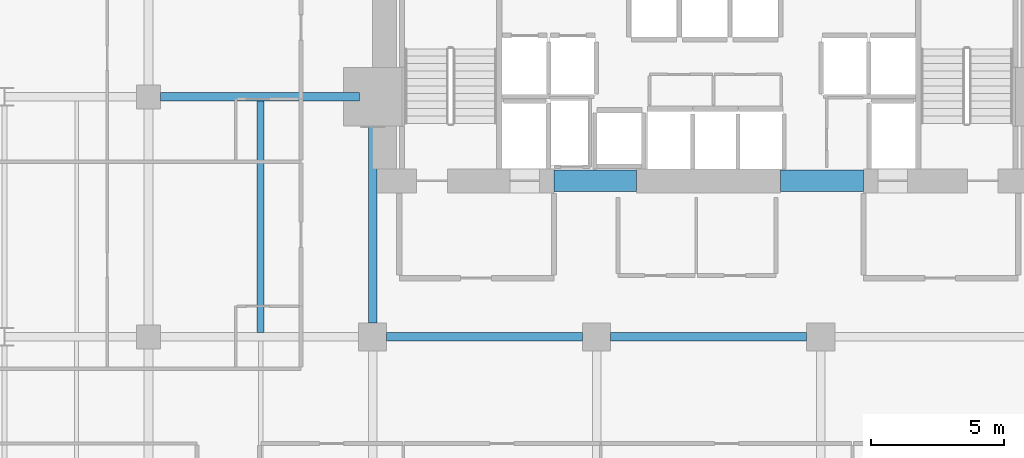
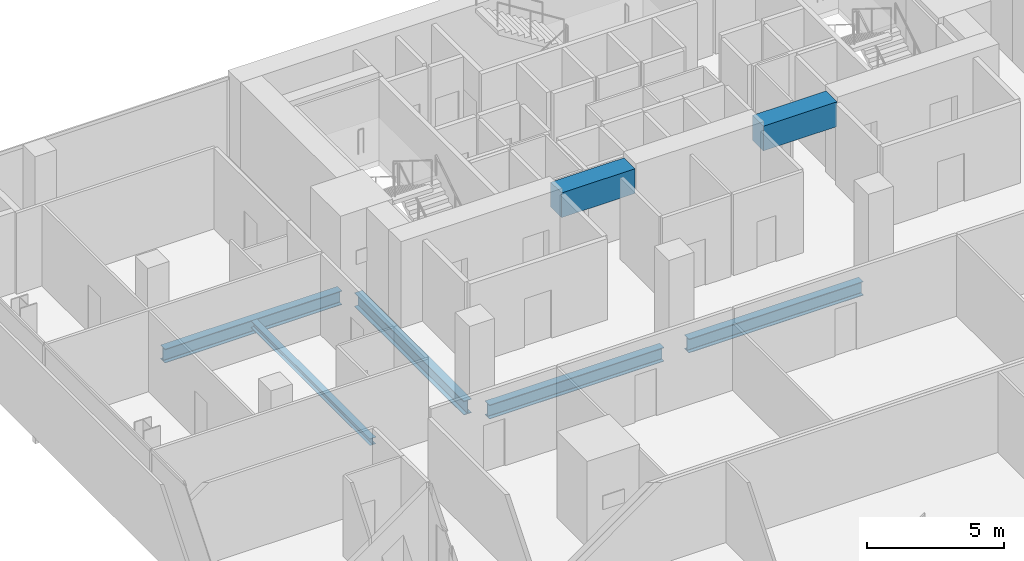
# One storey, part 24 of 41: 7 beams.
"""IFC4 building model written with IfcOpenShell, lengths in metres."""

from ifc_helpers import new_model, si_unit, direction, frame, origin, origin_2d, place, context, subcontext, project, spatial, rectangle, i_section, extrude, material, material_profile, profile_set, type_object, element, save


model = new_model("IFC4")

# Units and contexts
model_context = context("Model", 3, precision=1e-05, world=origin(), true_north=direction((0.0, 1.0)))
body_context = subcontext(model_context, "Body", "Model", "MODEL_VIEW")
ifc_project = project(units=[si_unit("LENGTHUNIT", "METRE"), si_unit("AREAUNIT", "SQUARE_METRE"), si_unit("VOLUMEUNIT", "CUBIC_METRE"), si_unit("PLANEANGLEUNIT", "RADIAN"), si_unit("MASSUNIT", "GRAM", prefix="KILO")], contexts=[model_context])

# Site, building, storey
site_placement = place(None, origin())
site = spatial("IfcSite", under=ifc_project, at=site_placement, CompositionType="ELEMENT")
building_placement = place(site_placement, origin())
building = spatial("IfcBuilding", under=site, at=building_placement, Name="Maruvema Waterfront Hotel and Observation Tower", CompositionType="ELEMENT")
storey_placement = place(building_placement, frame((0.0, 0.0, 61.60009765625)))
storey = spatial("IfcBuildingStorey", under=building, at=storey_placement, Name="L14", CompositionType="ELEMENT", Elevation=61.60009765625)

# Beams
ifc_material_1 = material(Name="Concrete C60/75", Category="concrete")
ifc_material_profile_1 = material_profile(ifc_material_1, rectangle(XDim=0.800048828125, YDim=1.10009765625, at=origin_2d()), Name="CB800x1100")
ifc_profile_set_1 = profile_set([ifc_material_profile_1], Name="Concrete C60/75")
beam_type_1 = type_object("IfcBeamType", Name="Core Coupling Lintel Beam CB800x1100", PredefinedType="LINTEL", material=ifc_profile_set_1)
for number, where, z_axis, x_axis, name in (
    (1, (32.0, 41.85009765625, 3.059814453125), (1.0, 0.0, 0.0), (0.0, 1.0, 0.0), "L14 Core Coupling Lintel Beam West"),
    (2, (40.5, 41.85009765625, 3.059814453125), (1.0, 0.0, 0.0), (0.0, 1.0, 0.0), "L14 Core Coupling Lintel Beam East"),
):
    element("IfcBeam", number, at=place(storey_placement, frame(where, z_axis=z_axis, x_axis=x_axis)), inside=storey, type_object=beam_type_1, Name=name, PredefinedType="LINTEL", context=body_context, shape_type="SweptSolid", body=[
        extrude(rectangle(XDim=0.800048828125, YDim=1.10009765625, at=origin_2d()), origin(), (0.0, 0.0, 1.0), 3.10009765625),
    ])
ifc_material_2 = material(Name="Steel ASTM A572 Grade 50", Category="steel")
ifc_material_profile_2 = material_profile(ifc_material_2, i_section(OverallWidth=0.326904296875, OverallDepth=0.6220703125, WebThickness=0.015380859375, FlangeThickness=0.0244140625, FilletRadius=0.01806640625, at=origin_2d()), Name="W610x195.0")
ifc_profile_set_2 = profile_set([ifc_material_profile_2], Name="Steel ASTM A572 Grade 50")
beam_type_2 = type_object("IfcBeamType", Name="Primary Floor Girder W610x195.0", PredefinedType="BEAM", material=ifc_profile_set_2)
beam_1_placement = place(storey_placement, frame((25.72509765625, 36.0, -0.551025390625), z_axis=(1.0, 0.0, 0.0), x_axis=(0.0, 1.0, 0.0)))
element("IfcBeam", 3, at=beam_1_placement, inside=storey, type_object=beam_type_2, Name="L14 Floor Girder EW-27", PredefinedType="BEAM", context=body_context, shape_type="SweptSolid", body=[
    extrude(i_section(OverallWidth=0.326904296875, OverallDepth=0.6220703125, WebThickness=0.015380859375, FlangeThickness=0.0244140625, FilletRadius=0.01806640625, at=origin_2d()), origin(), (0.0, 0.0, 1.0), 7.349853515625),
])
beam_2_placement = place(storey_placement, frame((34.125, 36.0, -0.551025390625), z_axis=(1.0, 0.0, 0.0), x_axis=(0.0, 1.0, 0.0)))
element("IfcBeam", 4, at=beam_2_placement, inside=storey, type_object=beam_type_2, Name="L14 Floor Girder EW-28", PredefinedType="BEAM", context=body_context, shape_type="SweptSolid", body=[
    extrude(i_section(OverallWidth=0.326904296875, OverallDepth=0.6220703125, WebThickness=0.015380859375, FlangeThickness=0.0244140625, FilletRadius=0.01806640625, at=origin_2d()), origin(), (0.0, 0.0, 1.0), 7.35009765625),
])
beam_3_placement = place(storey_placement, frame((17.25, 45.0, -0.551025390625), z_axis=(1.0, 0.0, 0.0), x_axis=(0.0, 1.0, 0.0)))
element("IfcBeam", 5, at=beam_3_placement, inside=storey, type_object=beam_type_2, Name="L14 Floor Girder EW-33", PredefinedType="BEAM", context=body_context, shape_type="SweptSolid", body=[
    extrude(i_section(OverallWidth=0.326904296875, OverallDepth=0.6220703125, WebThickness=0.015380859375, FlangeThickness=0.0244140625, FilletRadius=0.01806640625, at=origin_2d()), origin(), (0.0, 0.0, 1.0), 7.449951171875),
])
beam_4_placement = place(storey_placement, frame((25.199951171875, 36.52490234375, -0.551025390625), z_axis=(0.0, 1.0, 0.0), x_axis=(-1.0, 0.0, 0.0)))
element("IfcBeam", 6, at=beam_4_placement, inside=storey, type_object=beam_type_2, Name="L14 Floor Girder NS-15", PredefinedType="BEAM", context=body_context, shape_type="SweptSolid", body=[
    extrude(i_section(OverallWidth=0.326904296875, OverallDepth=0.6220703125, WebThickness=0.015380859375, FlangeThickness=0.0244140625, FilletRadius=0.01806640625, at=origin_2d()), origin(), (0.0, 0.0, 1.0), 7.97509765625),
])
ifc_material_3 = material(Name="Steel ASTM A572 Grade 50", Category="steel")
ifc_material_profile_3 = material_profile(ifc_material_3, i_section(OverallWidth=0.25390625, OverallDepth=0.305908203125, WebThickness=0.0087890625, FlangeThickness=0.0146484375, FilletRadius=0.014892578125, at=origin_2d()), Name="W310x79.0")
ifc_profile_set_3 = profile_set([ifc_material_profile_3], Name="Steel ASTM A572 Grade 50")
beam_type_3 = type_object("IfcBeamType", Name="Secondary Floor Joist W310x79.0", PredefinedType="JOIST", material=ifc_profile_set_3)
beam_5_placement = place(storey_placement, frame((21.0, 36.16357421875, -0.39306640625), z_axis=(0.0, 1.0, 0.0), x_axis=(-1.0, 0.0, 0.0)))
element("IfcBeam", 7, at=beam_5_placement, inside=storey, type_object=beam_type_3, Name="L14 Secondary Floor Joist JS-09", PredefinedType="JOIST", context=body_context, shape_type="SweptSolid", body=[
    extrude(i_section(OverallWidth=0.25390625, OverallDepth=0.305908203125, WebThickness=0.0087890625, FlangeThickness=0.0146484375, FilletRadius=0.014892578125, at=origin_2d()), origin(), (0.0, 0.0, 1.0), 8.6728515625),
])

save(model, "model.ifc")
